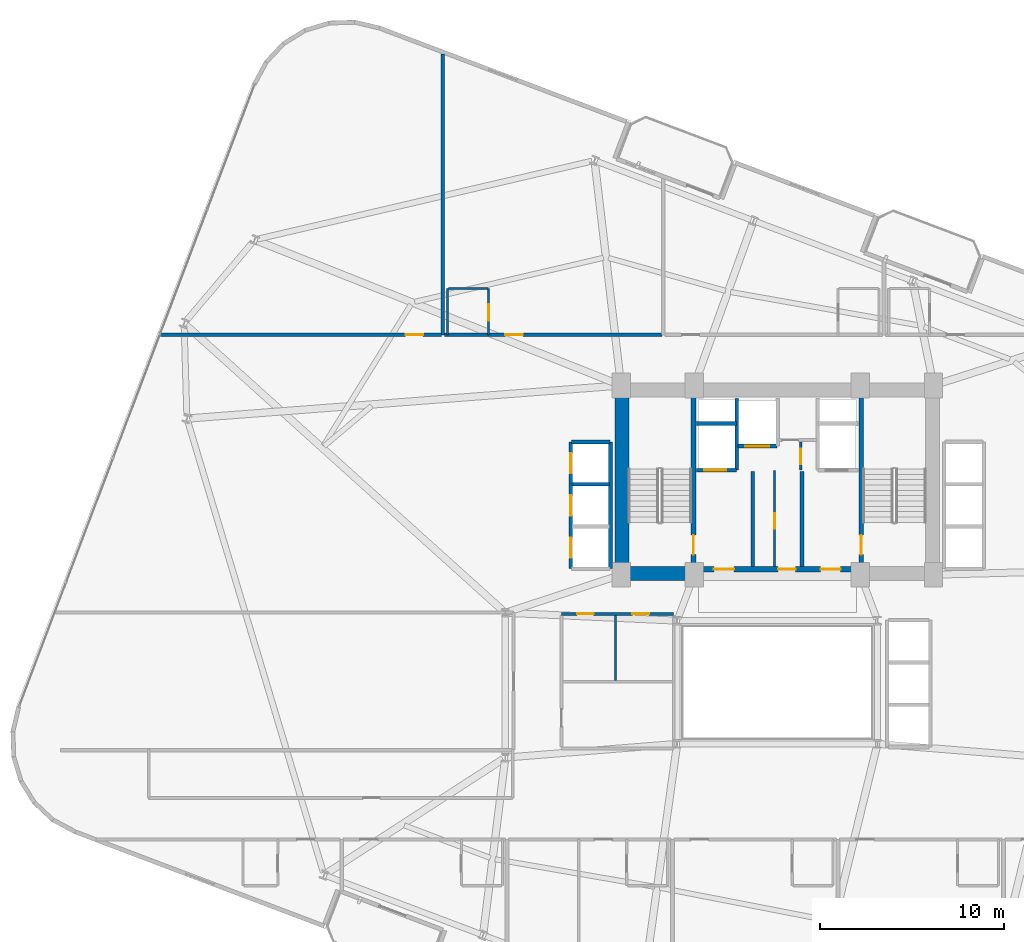
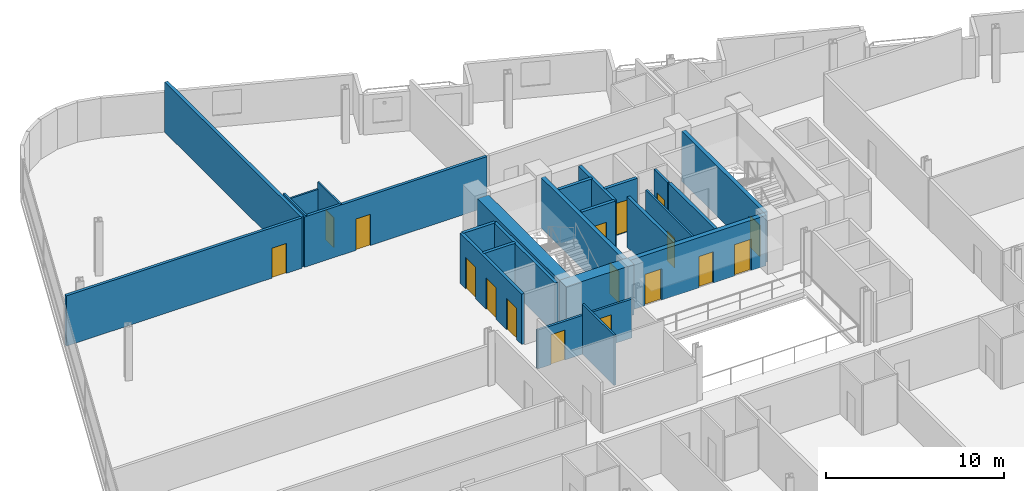
# One storey, part 20 of 26: 25 walls, 17 doors, 17 openings.
"""IFC4 building model written with IfcOpenShell, lengths in metres."""

from ifc_helpers import new_model, si_unit, direction, frame, frame_2d, origin, place, context, subcontext, project, spatial, rectangle, extrude, material, layer, layer_set, type_object, element, fill, save


model = new_model("IFC4")

# Units and contexts
model_context = context("Model", 3, precision=1e-05, world=origin(), true_north=direction((0.0, 1.0)))
body_context = subcontext(model_context, "Body", "Model", "MODEL_VIEW")
ifc_project = project(units=[si_unit("LENGTHUNIT", "METRE"), si_unit("AREAUNIT", "SQUARE_METRE"), si_unit("VOLUMEUNIT", "CUBIC_METRE"), si_unit("PLANEANGLEUNIT", "RADIAN"), si_unit("MASSUNIT", "GRAM", prefix="KILO")], contexts=[model_context])

# Site, building, storey
site_placement = place(None, origin())
site = spatial("IfcSite", under=ifc_project, at=site_placement, CompositionType="ELEMENT")
building_placement = place(site_placement, origin())
building = spatial("IfcBuilding", under=site, at=building_placement, Name="Varnelok Gate Tower", CompositionType="ELEMENT")
storey_placement = place(building_placement, frame((0.0, 0.0, 109.5)))
storey = spatial("IfcBuildingStorey", under=building, at=storey_placement, Name="L27", CompositionType="ELEMENT", Elevation=109.5)

# Wall, opening, door
ifc_material_1 = material(Name="Gypsum Plasterboard Acoustic Partition", Category="gypsum")
ifc_layer_1 = layer(ifc_material_1, 0.179931640625)
ifc_layer_set_1 = layer_set([ifc_layer_1], Name="Gypsum Plasterboard Acoustic Partition")
wall_type_1 = type_object("IfcWallType", Name="PW-CORR-180", PredefinedType="PARTITIONING", material=ifc_layer_set_1)
wall_1_placement = place(storey_placement, frame((5.64599609375, 41.800048828125, 0.0), z_axis=(0.0, 0.0, 1.0), x_axis=(1.0, 0.0, 0.0)))
wall_1 = element("IfcWall", 1, at=wall_1_placement, inside=storey, type_object=wall_type_1, Name="Interior Partition", PredefinedType="PARTITIONING", context=body_context, shape_type="SweptSolid", body=[
    extrude(rectangle(XDim=15.27392578125, YDim=0.179931640625, at=frame_2d((7.636962890625, 0.0))), origin(), (0.0, 0.0, 1.0), 3.449951171875),
])
opening_1_placement = place(wall_1_placement, frame((13.3291015625, 0.0, 0.0)))
opening_1 = element("IfcOpeningElement", 2, at=opening_1_placement, cuts=wall_1, Name="Opening D-I2", PredefinedType="OPENING", context=body_context, shape_type="SweptSolid", body=[
    extrude(rectangle(XDim=0.949951171875, YDim=2.050048828125, at=frame_2d((0.47509765625, 1.02490234375))), frame((0.0, 0.099853515625, 0.0), z_axis=(0.0, -1.0, 0.0), x_axis=(1.0, 0.0, 0.0)), (0.0, 0.0, 1.0), 0.199951171875),
])
ifc_material_2 = material(Name="Engineered Hardwood Timber", Category="wood")
door_type_1 = type_object("IfcDoorType", Name="DR-INT-950", OperationType="NOTDEFINED", PredefinedType="DOOR", material=ifc_material_2)
door_1_placement = place(opening_1_placement, origin())
door_1 = element("IfcDoor", 3, at=door_1_placement, inside=storey, type_object=door_type_1, Name="L27 Sky Library Door", OperationType="SINGLE_SWING_LEFT", OverallHeight=2.050048828125, OverallWidth=0.949951171875, PredefinedType="DOOR", context=body_context, shape_type="SweptSolid", body=[
    extrude(rectangle(XDim=0.949951171875, YDim=2.050048828125, at=frame_2d((0.47509765625, 1.02490234375))), frame((0.0, 0.02490234375, 0.0), z_axis=(0.0, -1.0, 0.0), x_axis=(1.0, 0.0, 0.0)), (0.0, 0.0, 1.0), 0.050048828125),
])
fill(opening_1, door_1)

wall_2_placement = place(storey_placement, frame((21.080078125, 41.800048828125, 0.0), z_axis=(0.0, 0.0, 1.0), x_axis=(1.0, 0.0, 0.0)))
wall_2 = element("IfcWall", 4, at=wall_2_placement, inside=storey, type_object=wall_type_1, Name="Interior Partition", PredefinedType="PARTITIONING", context=body_context, shape_type="SweptSolid", body=[
    extrude(rectangle(XDim=11.83984375, YDim=0.179931640625, at=frame_2d((5.919921875, 0.0))), origin(), (0.0, 0.0, 1.0), 3.449951171875),
])
opening_2_placement = place(wall_2_placement, frame((3.326416015625, 0.0, 0.0)))
opening_2 = element("IfcOpeningElement", 5, at=opening_2_placement, cuts=wall_2, Name="Opening D-HT", PredefinedType="OPENING", context=body_context, shape_type="SweptSolid", body=[
    extrude(rectangle(XDim=0.949951171875, YDim=2.14990234375, at=frame_2d((0.47509765625, 1.074951171875))), frame((0.0, 0.099853515625, 0.0), z_axis=(0.0, -1.0, 0.0), x_axis=(1.0, 0.0, 0.0)), (0.0, 0.0, 1.0), 0.199951171875),
])
door_type_2 = type_object("IfcDoorType", Name="DR-HTL-950", OperationType="NOTDEFINED", PredefinedType="DOOR", material=ifc_material_2)
door_2_placement = place(opening_2_placement, origin())
door_2 = element("IfcDoor", 6, at=door_2_placement, inside=storey, type_object=door_type_2, Name="L27 Guest Room 09 Entrance Door", OperationType="SINGLE_SWING_RIGHT", OverallHeight=2.14990234375, OverallWidth=0.949951171875, PredefinedType="DOOR", context=body_context, shape_type="SweptSolid", body=[
    extrude(rectangle(XDim=0.949951171875, YDim=2.14990234375, at=frame_2d((0.47509765625, 1.074951171875))), frame((0.0, 0.02490234375, 0.0), z_axis=(0.0, -1.0, 0.0), x_axis=(1.0, 0.0, 0.0)), (0.0, 0.0, 1.0), 0.050048828125),
])
fill(opening_2, door_2)

# Wall
ifc_layer_2 = layer(ifc_material_1, 0.114990234375)
ifc_layer_set_2 = layer_set([ifc_layer_2], Name="Gypsum Plasterboard Acoustic Partition")
wall_type_2 = type_object("IfcWallType", Name="PW-ENS-125", PredefinedType="PARTITIONING", material=ifc_layer_set_2)
wall_3_placement = place(storey_placement, frame((21.300048828125, 44.320068359375, 0.0), z_axis=(0.0, 0.0, 1.0), x_axis=(1.0, 0.0, 0.0)))
element("IfcWall", 7, at=wall_3_placement, inside=storey, type_object=wall_type_2, Name="Interior Partition", PredefinedType="PARTITIONING", context=body_context, shape_type="SweptSolid", body=[
    extrude(rectangle(XDim=2.14990234375, YDim=0.114990234375, at=frame_2d((1.074951171875, 0.0))), origin(), (0.0, 0.0, 1.0), 2.971923828125),
])

# Wall, opening, door
wall_4_placement = place(storey_placement, frame((23.489990234375, 41.800048828125, 0.0), z_axis=(0.0, 0.0, 1.0), x_axis=(0.0, 1.0, 0.0)))
wall_4 = element("IfcWall", 8, at=wall_4_placement, inside=storey, type_object=wall_type_2, Name="Interior Partition", PredefinedType="PARTITIONING", context=body_context, shape_type="SweptSolid", body=[
    extrude(rectangle(XDim=2.52001953125, YDim=0.114990234375, at=frame_2d((1.260009765625, 0.0))), origin(), (0.0, 0.0, 1.0), 3.449951171875),
])
opening_3_placement = place(wall_4_placement, frame((0.760009765625, 0.0, 0.0)))
opening_3 = element("IfcOpeningElement", 9, at=opening_3_placement, cuts=wall_4, Name="Opening D-WC", PredefinedType="OPENING", context=body_context, shape_type="SweptSolid", body=[
    extrude(rectangle(XDim=0.89990234375, YDim=2.050048828125, at=frame_2d((0.449951171875, 1.02490234375))), frame((0.0, 0.0673828125, 0.0), z_axis=(0.0, -1.0, 0.0), x_axis=(1.0, 0.0, 0.0)), (0.0, 0.0, 1.0), 0.135009765625),
])
door_type_3 = type_object("IfcDoorType", Name="DR-BATH-900", OperationType="NOTDEFINED", PredefinedType="DOOR", material=ifc_material_2)
door_3_placement = place(opening_3_placement, origin())
door_3 = element("IfcDoor", 10, at=door_3_placement, inside=storey, type_object=door_type_3, Name="L27 North En-Suite 09 Door", OperationType="SINGLE_SWING_RIGHT", OverallHeight=2.050048828125, OverallWidth=0.89990234375, PredefinedType="DOOR", context=body_context, shape_type="SweptSolid", body=[
    extrude(rectangle(XDim=0.89990234375, YDim=2.050048828125, at=frame_2d((0.449951171875, 1.02490234375))), frame((0.0, 0.02490234375, 0.0), z_axis=(0.0, -1.0, 0.0), x_axis=(1.0, 0.0, 0.0)), (0.0, 0.0, 1.0), 0.050048828125),
])
fill(opening_3, door_3)

# Wall
wall_5_placement = place(storey_placement, frame((21.260009765625, 41.800048828125, 0.0), z_axis=(0.0, 0.0, 1.0), x_axis=(0.0, 1.0, 0.0)))
element("IfcWall", 11, at=wall_5_placement, inside=storey, type_object=wall_type_2, Name="Interior Partition", PredefinedType="PARTITIONING", context=body_context, shape_type="SweptSolid", body=[
    extrude(rectangle(XDim=2.52001953125, YDim=0.114990234375, at=frame_2d((1.260009765625, 0.0))), origin(), (0.0, 0.0, 1.0), 3.449951171875),
])

# Wall, opening, door
ifc_layer_3 = layer(ifc_material_1, 0.125)
ifc_layer_set_3 = layer_set([ifc_layer_3], Name="Gypsum Plasterboard Acoustic Partition")
wall_type_3 = type_object("IfcWallType", Name="PW-PART-125", PredefinedType="PARTITIONING", material=ifc_layer_set_3)
wall_6_placement = place(storey_placement, frame((39.050048828125, 29.199951171875, 0.0), z_axis=(0.0, 0.0, 1.0), x_axis=(0.0, 1.0, 0.0)))
wall_6 = element("IfcWall", 12, at=wall_6_placement, inside=storey, type_object=wall_type_3, Name="Interior Partition", PredefinedType="PARTITIONING", context=body_context, shape_type="SweptSolid", body=[
    extrude(rectangle(XDim=5.219970703125, YDim=0.125, at=frame_2d((2.60986328125, 0.0))), origin(), (0.0, 0.0, 1.0), 3.449951171875),
])
opening_4_placement = place(wall_6_placement, frame((2.050048828125, 0.0, 0.0)))
opening_4 = element("IfcOpeningElement", 13, at=opening_4_placement, cuts=wall_6, Name="Opening D-RS", PredefinedType="OPENING", context=body_context, shape_type="SweptSolid", body=[
    extrude(rectangle(XDim=0.85009765625, YDim=2.050048828125, at=frame_2d((0.425048828125, 1.02490234375))), frame((0.0, 0.072509765625, 0.0), z_axis=(0.0, -1.0, 0.0), x_axis=(1.0, 0.0, 0.0)), (0.0, 0.0, 1.0), 0.14501953125),
])
ifc_material_3 = material(Name="Galvanized Steel Grade S350GD", Category="steel")
door_type_4 = type_object("IfcDoorType", Name="DR-RISER-850", OperationType="NOTDEFINED", PredefinedType="DOOR", material=ifc_material_3)
door_4_placement = place(opening_4_placement, origin())
door_4 = element("IfcDoor", 14, at=door_4_placement, inside=storey, type_object=door_type_4, Name="L27 Housekeeping Linen Door", OperationType="SINGLE_SWING_LEFT", OverallHeight=2.050048828125, OverallWidth=0.85009765625, PredefinedType="DOOR", context=body_context, shape_type="SweptSolid", body=[
    extrude(rectangle(XDim=0.85009765625, YDim=2.050048828125, at=frame_2d((0.425048828125, 1.02490234375))), frame((0.0, 0.02490234375, 0.0), z_axis=(0.0, -1.0, 0.0), x_axis=(1.0, 0.0, 0.0)), (0.0, 0.0, 1.0), 0.050048828125),
])
fill(opening_4, door_4)

# Wall
wall_7_placement = place(storey_placement, frame((30.39990234375, 23.0, 0.0), z_axis=(0.0, 0.0, 1.0), x_axis=(0.0, 1.0, 0.0)))
element("IfcWall", 15, at=wall_7_placement, inside=storey, type_object=wall_type_3, Name="Interior Partition", PredefinedType="PARTITIONING", context=body_context, shape_type="SweptSolid", body=[
    extrude(rectangle(XDim=3.5400390625, YDim=0.125, at=frame_2d((1.77001953125, 0.0))), origin(), (0.0, 0.0, 1.0), 3.449951171875),
])

# Wall, opening, door
ifc_layer_4 = layer(ifc_material_1, 0.14990234375)
ifc_layer_set_4 = layer_set([ifc_layer_4], Name="Gypsum Plasterboard Acoustic Partition")
wall_type_4 = type_object("IfcWallType", Name="PW-PART-150", PredefinedType="PARTITIONING", material=ifc_layer_set_4)
wall_8_placement = place(storey_placement, frame((40.47998046875, 34.43994140625, 0.0), z_axis=(0.0, 0.0, 1.0), x_axis=(0.0, 1.0, 0.0)))
wall_8 = element("IfcWall", 16, at=wall_8_placement, inside=storey, type_object=wall_type_4, Name="L27 Telecoms Closet West Wall", PredefinedType="PARTITIONING", context=body_context, shape_type="SweptSolid", body=[
    extrude(rectangle(XDim=1.52001953125, YDim=0.14990234375, at=frame_2d((0.760009765625, 0.0))), origin(), (0.0, 0.0, 1.0), 3.449951171875),
])
opening_5_placement = place(wall_8_placement, frame((0.320068359375, 0.0, 0.0)))
opening_5 = element("IfcOpeningElement", 17, at=opening_5_placement, cuts=wall_8, Name="Opening D-RS", PredefinedType="OPENING", context=body_context, shape_type="SweptSolid", body=[
    extrude(rectangle(XDim=0.85009765625, YDim=2.050048828125, at=frame_2d((0.425048828125, 1.02490234375))), frame((0.0, 0.0849609375, 0.0), z_axis=(0.0, -1.0, 0.0), x_axis=(1.0, 0.0, 0.0)), (0.0, 0.0, 1.0), 0.169921875),
])
door_5_placement = place(opening_5_placement, origin())
door_5 = element("IfcDoor", 18, at=door_5_placement, inside=storey, type_object=door_type_4, Name="L27 Telecoms Closet Door", OperationType="SINGLE_SWING_LEFT", OverallHeight=2.050048828125, OverallWidth=0.85009765625, PredefinedType="DOOR", context=body_context, shape_type="SweptSolid", body=[
    extrude(rectangle(XDim=0.85009765625, YDim=2.050048828125, at=frame_2d((0.425048828125, 1.02490234375))), frame((0.0, 0.02490234375, 0.0), z_axis=(0.0, -1.0, 0.0), x_axis=(1.0, 0.0, 0.0)), (0.0, 0.0, 1.0), 0.050048828125),
])
fill(opening_5, door_5)

# Wall, openings, doors
wall_9_placement = place(storey_placement, frame((27.4599609375, 26.6201171875, 0.0), z_axis=(0.0, 0.0, 1.0), x_axis=(1.0, 0.0, 0.0)))
wall_9 = element("IfcWall", 19, at=wall_9_placement, inside=storey, type_object=wall_type_4, Name="Interior Partition", PredefinedType="PARTITIONING", context=body_context, shape_type="SweptSolid", body=[
    extrude(rectangle(XDim=6.10009765625, YDim=0.14990234375, at=frame_2d((3.050048828125, 0.0))), origin(), (0.0, 0.0, 1.0), 2.662109375),
])
opening_6_placement = place(wall_9_placement, frame((0.85009765625, 0.0, 0.0)))
opening_6 = element("IfcOpeningElement", 20, at=opening_6_placement, cuts=wall_9, Name="Opening D-WC", PredefinedType="OPENING", context=body_context, shape_type="SweptSolid", body=[
    extrude(rectangle(XDim=0.89990234375, YDim=2.050048828125, at=frame_2d((0.449951171875, 1.02490234375))), frame((0.0, 0.0849609375, 0.0), z_axis=(0.0, -1.0, 0.0), x_axis=(1.0, 0.0, 0.0)), (0.0, 0.0, 1.0), 0.169921875),
])
opening_7_placement = place(wall_9_placement, frame((3.85009765625, 0.0, 0.0)))
opening_7 = element("IfcOpeningElement", 21, at=opening_7_placement, cuts=wall_9, Name="Opening D-I3", PredefinedType="OPENING", context=body_context, shape_type="SweptSolid", body=[
    extrude(rectangle(XDim=0.919921875, YDim=2.050048828125, at=frame_2d((0.4599609375, 1.02490234375))), frame((0.0, 0.0849609375, 0.0), z_axis=(0.0, -1.0, 0.0), x_axis=(1.0, 0.0, 0.0)), (0.0, 0.0, 1.0), 0.169921875),
])
door_6_placement = place(opening_6_placement, origin())
door_6 = element("IfcDoor", 22, at=door_6_placement, inside=storey, type_object=door_type_3, Name="L27 Accessible Floor WC Door", OperationType="SINGLE_SWING_RIGHT", OverallHeight=2.050048828125, OverallWidth=0.89990234375, PredefinedType="DOOR", context=body_context, shape_type="SweptSolid", body=[
    extrude(rectangle(XDim=0.89990234375, YDim=2.050048828125, at=frame_2d((0.449951171875, 1.02490234375))), frame((0.0, 0.02490234375, 0.0), z_axis=(0.0, -1.0, 0.0), x_axis=(1.0, 0.0, 0.0)), (0.0, 0.0, 1.0), 0.050048828125),
])
fill(opening_6, door_6)
door_type_5 = type_object("IfcDoorType", Name="DR-INT-920", OperationType="NOTDEFINED", PredefinedType="DOOR", material=ifc_material_2)
door_7_placement = place(opening_7_placement, origin())
door_7 = element("IfcDoor", 23, at=door_7_placement, inside=storey, type_object=door_type_5, Name="L27 Cleaner Supply Door", OperationType="SINGLE_SWING_LEFT", OverallHeight=2.050048828125, OverallWidth=0.919921875, PredefinedType="DOOR", context=body_context, shape_type="SweptSolid", body=[
    extrude(rectangle(XDim=0.919921875, YDim=2.050048828125, at=frame_2d((0.4599609375, 1.02490234375))), frame((0.0, 0.02490234375, 0.0), z_axis=(0.0, -1.0, 0.0), x_axis=(1.0, 0.0, 0.0)), (0.0, 0.0, 1.0), 0.050048828125),
])
fill(opening_7, door_7)

# Walls
ifc_layer_5 = layer(ifc_material_1, 0.205078125)
ifc_layer_set_5 = layer_set([ifc_layer_5], Name="Gypsum Plasterboard Acoustic Partition")
wall_type_5 = type_object("IfcWallType", Name="PW-PARTY-200", PredefinedType="PARTITIONING", material=ifc_layer_set_5)
wall_10_placement = place(storey_placement, frame((21.0, 41.800048828125, 0.0), z_axis=(0.0, 0.0, 1.0), x_axis=(0.0, 1.0, 0.0)))
element("IfcWall", 24, at=wall_10_placement, inside=storey, type_object=wall_type_5, Name="L27 North Party Wall 1", PredefinedType="PARTITIONING", context=body_context, shape_type="SweptSolid", body=[
    extrude(rectangle(XDim=15.28466796875, YDim=0.205078125, at=frame_2d((7.642333984375, 0.0))), origin(), (0.0, 0.0, 1.0), 3.449951171875),
])
ifc_material_4 = material(Name="Concrete C35/45", Category="concrete")
ifc_layer_6 = layer(ifc_material_4, 0.199951171875)
ifc_layer_set_6 = layer_set([ifc_layer_6], Name="Concrete C35/45")
wall_type_6 = type_object("IfcWallType", Name="PW-SHAFT-200", PredefinedType="PARTITIONING", material=ifc_layer_set_6)
for number, where, z_axis, x_axis, name in (
    (25, (37.860107421875, 29.199951171875, 0.0), (0.0, 0.0, 1.0), (0.0, 1.0, 0.0), "L27 West FF Lobby Rated Wall"),
    (26, (40.5400390625, 29.199951171875, 0.0), (0.0, 0.0, 1.0), (0.0, 1.0, 0.0), "L27 East FF Lobby Rated Wall"),
):
    element("IfcWall", number, at=place(storey_placement, frame(where, z_axis=z_axis, x_axis=x_axis)), inside=storey, type_object=wall_type_6, Name=name, PredefinedType="PARTITIONING", context=body_context, shape_type="SweptSolid", body=[
        extrude(rectangle(XDim=5.179931640625, YDim=0.199951171875, at=frame_2d((2.58984375, 0.0))), origin(), (0.0, 0.0, 1.0), 3.449951171875),
    ])

# Wall, opening, door
wall_11_placement = place(storey_placement, frame((34.800048828125, 34.43994140625, 0.0), z_axis=(0.0, 0.0, 1.0), x_axis=(1.0, 0.0, 0.0)))
wall_11 = element("IfcWall", 27, at=wall_11_placement, inside=storey, type_object=wall_type_6, Name="L27 FF1 Shaft Front Wall", PredefinedType="PARTITIONING", context=body_context, shape_type="SweptSolid", body=[
    extrude(rectangle(XDim=2.179931640625, YDim=0.199951171875, at=frame_2d((1.08984375, 0.0))), origin(), (0.0, 0.0, 1.0), 3.449951171875),
])
opening_8_placement = place(wall_11_placement, frame((0.419921875, 0.0, 0.0)))
opening_8 = element("IfcOpeningElement", 28, at=opening_8_placement, cuts=wall_11, Name="Opening LD-FF1", PredefinedType="OPENING", context=body_context, shape_type="SweptSolid", body=[
    extrude(rectangle(XDim=1.199951171875, YDim=2.199951171875, at=frame_2d((0.60009765625, 1.10009765625))), frame((0.0, 0.10986328125, 0.0), z_axis=(0.0, -1.0, 0.0), x_axis=(1.0, 0.0, 0.0)), (0.0, 0.0, 1.0), 0.219970703125),
])
door_type_6 = type_object("IfcDoorType", Name="DR-LIFT-FF1200", OperationType="SLIDING_TO_LEFT", PredefinedType="DOOR", material=ifc_material_3)
door_8_placement = place(opening_8_placement, origin())
door_8 = element("IfcDoor", 29, at=door_8_placement, inside=storey, type_object=door_type_6, Name="L27 Firefighting Lift Landing Door LD-FF1", OperationType="SLIDING_TO_LEFT", OverallHeight=2.199951171875, OverallWidth=1.199951171875, PredefinedType="DOOR", context=body_context, shape_type="SweptSolid", body=[
    extrude(rectangle(XDim=1.199951171875, YDim=2.199951171875, at=frame_2d((0.60009765625, 1.10009765625))), frame((0.0, 0.02490234375, 0.0), z_axis=(0.0, -1.0, 0.0), x_axis=(1.0, 0.0, 0.0)), (0.0, 0.0, 1.0), 0.050048828125),
])
fill(opening_8, door_8)

# Walls
wall_12_placement = place(storey_placement, frame((34.800048828125, 36.97998046875, 0.0), z_axis=(0.0, 0.0, 1.0), x_axis=(1.0, 0.0, 0.0)))
element("IfcWall", 30, at=wall_12_placement, inside=storey, type_object=wall_type_6, Name="L27 FF1 Shaft North Wall", PredefinedType="PARTITIONING", context=body_context, shape_type="SweptSolid", body=[
    extrude(rectangle(XDim=2.179931640625, YDim=0.199951171875, at=frame_2d((1.08984375, 0.0))), origin(), (0.0, 0.0, 1.0), 3.449951171875),
])
wall_13_placement = place(storey_placement, frame((37.0, 34.43994140625, 0.0), z_axis=(0.0, 0.0, 1.0), x_axis=(0.0, 1.0, 0.0)))
element("IfcWall", 31, at=wall_13_placement, inside=storey, type_object=wall_type_6, Name="L27 FF1 Shaft Side Wall", PredefinedType="PARTITIONING", context=body_context, shape_type="SweptSolid", body=[
    extrude(rectangle(XDim=3.900146484375, YDim=0.199951171875, at=frame_2d((1.9501953125, 0.0))), origin(), (0.0, 0.0, 1.0), 3.449951171875),
])

# Wall, opening, door
wall_14_placement = place(storey_placement, frame((37.06005859375, 35.75, 0.0), z_axis=(0.0, 0.0, 1.0), x_axis=(1.0, 0.0, 0.0)))
wall_14 = element("IfcWall", 32, at=wall_14_placement, inside=storey, type_object=wall_type_6, Name="L27 SV1 Shaft Front Wall", PredefinedType="PARTITIONING", context=body_context, shape_type="SweptSolid", body=[
    extrude(rectangle(XDim=2.119873046875, YDim=0.199951171875, at=frame_2d((1.06005859375, 0.0))), origin(), (0.0, 0.0, 1.0), 3.449951171875),
])
opening_9_placement = place(wall_14_placement, frame((0.39990234375, 0.0, 0.0)))
opening_9 = element("IfcOpeningElement", 33, at=opening_9_placement, cuts=wall_14, Name="Opening LD-SV1", PredefinedType="OPENING", context=body_context, shape_type="SweptSolid", body=[
    extrude(rectangle(XDim=1.300048828125, YDim=2.199951171875, at=frame_2d((0.64990234375, 1.10009765625))), frame((0.0, 0.10986328125, 0.0), z_axis=(0.0, -1.0, 0.0), x_axis=(1.0, 0.0, 0.0)), (0.0, 0.0, 1.0), 0.219970703125),
])
door_type_7 = type_object("IfcDoorType", Name="DR-LIFT-SV1300", OperationType="SLIDING_TO_LEFT", PredefinedType="DOOR", material=ifc_material_3)
door_9_placement = place(opening_9_placement, origin())
door_9 = element("IfcDoor", 34, at=door_9_placement, inside=storey, type_object=door_type_7, Name="L27 Service Lift Landing Door LD-SV1", OperationType="SLIDING_TO_LEFT", OverallHeight=2.199951171875, OverallWidth=1.300048828125, PredefinedType="DOOR", context=body_context, shape_type="SweptSolid", body=[
    extrude(rectangle(XDim=1.300048828125, YDim=2.199951171875, at=frame_2d((0.64990234375, 1.10009765625))), frame((0.0, 0.02490234375, 0.0), z_axis=(0.0, -1.0, 0.0), x_axis=(1.0, 0.0, 0.0)), (0.0, 0.0, 1.0), 0.050048828125),
])
fill(opening_9, door_9)

# Walls
wall_15_placement = place(storey_placement, frame((28.02001953125, 33.675048828125, 0.0), z_axis=(0.0, 0.0, 1.0), x_axis=(1.0, 0.0, 0.0)))
element("IfcWall", 35, at=wall_15_placement, inside=storey, type_object=wall_type_6, Name="L27 PL2 Divider", PredefinedType="PARTITIONING", context=body_context, shape_type="SweptSolid", body=[
    extrude(rectangle(XDim=2.06005859375, YDim=0.199951171875, at=frame_2d((1.030029296875, 0.0))), origin(), (0.0, 0.0, 1.0), 3.449951171875),
])
wall_16_placement = place(storey_placement, frame((28.0, 35.969970703125, 0.0), z_axis=(0.0, 0.0, 1.0), x_axis=(1.0, 0.0, 0.0)))
element("IfcWall", 36, at=wall_16_placement, inside=storey, type_object=wall_type_6, Name="L27 PL Bank North Wall", PredefinedType="PARTITIONING", context=body_context, shape_type="SweptSolid", body=[
    extrude(rectangle(XDim=2.10009765625, YDim=0.199951171875, at=frame_2d((1.050048828125, 0.0))), origin(), (0.0, 0.0, 1.0), 3.449951171875),
])
wall_17_placement = place(storey_placement, frame((30.1201171875, 29.080078125, 0.0), z_axis=(0.0, 0.0, 1.0), x_axis=(0.0, 1.0, 0.0)))
element("IfcWall", 37, at=wall_17_placement, inside=storey, type_object=wall_type_6, Name="L27 PL Bank Back Wall", PredefinedType="PARTITIONING", context=body_context, shape_type="SweptSolid", body=[
    extrude(rectangle(XDim=6.889892578125, YDim=0.199951171875, at=frame_2d((3.44482421875, 0.0))), origin(), (0.0, 0.0, 1.0), 3.449951171875),
])

# Wall, openings, doors
wall_18_placement = place(storey_placement, frame((27.9599609375, 29.080078125, 0.0), z_axis=(0.0, 0.0, 1.0), x_axis=(0.0, 1.0, 0.0)))
wall_18 = element("IfcWall", 38, at=wall_18_placement, inside=storey, type_object=wall_type_6, Name="L27 PL Bank Front Wall", PredefinedType="PARTITIONING", context=body_context, shape_type="SweptSolid", body=[
    extrude(rectangle(XDim=6.889892578125, YDim=0.199951171875, at=frame_2d((3.44482421875, 0.0))), origin(), (0.0, 0.0, 1.0), 3.449951171875),
])
opening_10_placement = place(wall_18_placement, frame((0.590087890625, 0.0, 0.0)))
opening_10 = element("IfcOpeningElement", 39, at=opening_10_placement, cuts=wall_18, Name="Opening LD-PL1", PredefinedType="OPENING", context=body_context, shape_type="SweptSolid", body=[
    extrude(rectangle(XDim=1.10009765625, YDim=2.14990234375, at=frame_2d((0.550048828125, 1.074951171875))), frame((0.0, 0.10986328125, 0.0), z_axis=(0.0, -1.0, 0.0), x_axis=(1.0, 0.0, 0.0)), (0.0, 0.0, 1.0), 0.219970703125),
])
opening_11_placement = place(wall_18_placement, frame((2.889892578125, 0.0, 0.0)))
opening_11 = element("IfcOpeningElement", 40, at=opening_11_placement, cuts=wall_18, Name="Opening LD-PL2", PredefinedType="OPENING", context=body_context, shape_type="SweptSolid", body=[
    extrude(rectangle(XDim=1.10009765625, YDim=2.14990234375, at=frame_2d((0.550048828125, 1.074951171875))), frame((0.0, 0.10986328125, 0.0), z_axis=(0.0, -1.0, 0.0), x_axis=(1.0, 0.0, 0.0)), (0.0, 0.0, 1.0), 0.219970703125),
])
opening_12_placement = place(wall_18_placement, frame((5.18994140625, 0.0, 0.0)))
opening_12 = element("IfcOpeningElement", 41, at=opening_12_placement, cuts=wall_18, Name="Opening LD-PL3", PredefinedType="OPENING", context=body_context, shape_type="SweptSolid", body=[
    extrude(rectangle(XDim=1.10009765625, YDim=2.14990234375, at=frame_2d((0.550048828125, 1.074951171875))), frame((0.0, 0.10986328125, 0.0), z_axis=(0.0, -1.0, 0.0), x_axis=(1.0, 0.0, 0.0)), (0.0, 0.0, 1.0), 0.219970703125),
])
door_type_8 = type_object("IfcDoorType", Name="DR-LIFT-PAX1100", OperationType="SLIDING_TO_LEFT", PredefinedType="DOOR", material=ifc_material_3)
door_10_placement = place(opening_10_placement, origin())
door_10 = element("IfcDoor", 42, at=door_10_placement, inside=storey, type_object=door_type_8, Name="L27 Passenger Lift Landing Door LD-PL1", OperationType="SLIDING_TO_LEFT", OverallHeight=2.14990234375, OverallWidth=1.10009765625, PredefinedType="DOOR", context=body_context, shape_type="SweptSolid", body=[
    extrude(rectangle(XDim=1.10009765625, YDim=2.14990234375, at=frame_2d((0.550048828125, 1.074951171875))), frame((0.0, 0.02490234375, 0.0), z_axis=(0.0, -1.0, 0.0), x_axis=(1.0, 0.0, 0.0)), (0.0, 0.0, 1.0), 0.050048828125),
])
fill(opening_10, door_10)
door_11_placement = place(opening_11_placement, origin())
door_11 = element("IfcDoor", 43, at=door_11_placement, inside=storey, type_object=door_type_8, Name="L27 Passenger Lift Landing Door LD-PL2", OperationType="SLIDING_TO_LEFT", OverallHeight=2.14990234375, OverallWidth=1.10009765625, PredefinedType="DOOR", context=body_context, shape_type="SweptSolid", body=[
    extrude(rectangle(XDim=1.10009765625, YDim=2.14990234375, at=frame_2d((0.550048828125, 1.074951171875))), frame((0.0, 0.02490234375, 0.0), z_axis=(0.0, -1.0, 0.0), x_axis=(1.0, 0.0, 0.0)), (0.0, 0.0, 1.0), 0.050048828125),
])
fill(opening_11, door_11)
door_12_placement = place(opening_12_placement, origin())
door_12 = element("IfcDoor", 44, at=door_12_placement, inside=storey, type_object=door_type_8, Name="L27 Passenger Lift Landing Door LD-PL3", OperationType="SLIDING_TO_LEFT", OverallHeight=2.14990234375, OverallWidth=1.10009765625, PredefinedType="DOOR", context=body_context, shape_type="SweptSolid", body=[
    extrude(rectangle(XDim=1.10009765625, YDim=2.14990234375, at=frame_2d((0.550048828125, 1.074951171875))), frame((0.0, 0.02490234375, 0.0), z_axis=(0.0, -1.0, 0.0), x_axis=(1.0, 0.0, 0.0)), (0.0, 0.0, 1.0), 0.050048828125),
])
fill(opening_12, door_12)

# Walls
ifc_material_5 = material(Name="Concrete C70/85", Category="concrete")
ifc_layer_7 = layer(ifc_material_5, 0.75)
ifc_layer_set_7 = layer_set([ifc_layer_7], Name="Concrete C70/85")
wall_type_7 = type_object("IfcWallType", Name="SW-CORE-750", PredefinedType="SHEAR", material=ifc_layer_set_7)
wall_19_placement = place(storey_placement, frame((30.7548828125, 29.199951171875, 0.0), z_axis=(0.0, 0.0, 1.0), x_axis=(0.0, 1.0, 0.0)))
element("IfcWall", 45, at=wall_19_placement, inside=storey, type_object=wall_type_7, Name="L27 Rear Core West Shear Wall", PredefinedType="SHEAR", context=body_context, shape_type="SweptSolid", body=[
    extrude(rectangle(XDim=9.219970703125, YDim=0.75, at=frame_2d((4.60986328125, 0.0))), origin(), (0.0, 0.0, 1.0), 3.449951171875),
])
wall_20_placement = place(storey_placement, frame((30.3798828125, 28.824951171875, 0.0), z_axis=(0.0, 0.0, 1.0), x_axis=(1.0, 0.0, 0.0)))
element("IfcWall", 46, at=wall_20_placement, inside=storey, type_object=wall_type_7, Name="L27 Rear Core South-West Shear Wall", PredefinedType="SHEAR", context=body_context, shape_type="SweptSolid", body=[
    extrude(rectangle(XDim=4.420166015625, YDim=0.75, at=frame_2d((2.2099609375, 0.0))), origin(), (0.0, 0.0, 1.0), 3.449951171875),
])

# Wall, opening, door
ifc_material_6 = material(Name="Concrete C60/75", Category="concrete")
ifc_layer_8 = layer(ifc_material_6, 0.25)
ifc_layer_set_8 = layer_set([ifc_layer_8], Name="Concrete C60/75")
wall_type_8 = type_object("IfcWallType", Name="SW-SHAFT-250", PredefinedType="SHEAR", material=ifc_layer_set_8)
wall_21_placement = place(storey_placement, frame((34.639892578125, 29.199951171875, 0.0), z_axis=(0.0, 0.0, 1.0), x_axis=(0.0, 1.0, 0.0)))
wall_21 = element("IfcWall", 47, at=wall_21_placement, inside=storey, type_object=wall_type_8, Name="L27 Stair ST-1 East Shear Wall", PredefinedType="SHEAR", context=body_context, shape_type="SweptSolid", body=[
    extrude(rectangle(XDim=9.219970703125, YDim=0.25, at=frame_2d((4.60986328125, 0.0))), origin(), (0.0, 0.0, 1.0), 3.449951171875),
])
opening_13_placement = place(wall_21_placement, frame((0.64990234375, 0.0, 0.0)))
opening_13 = element("IfcOpeningElement", 48, at=opening_13_placement, cuts=wall_21, Name="Opening D-ST", PredefinedType="OPENING", context=body_context, shape_type="SweptSolid", body=[
    extrude(rectangle(XDim=1.050048828125, YDim=2.14990234375, at=frame_2d((0.52490234375, 1.074951171875))), frame((0.0, 0.135009765625, 0.0), z_axis=(0.0, -1.0, 0.0), x_axis=(1.0, 0.0, 0.0)), (0.0, 0.0, 1.0), 0.27001953125),
])
door_type_9 = type_object("IfcDoorType", Name="DR-STAIR-1050", OperationType="NOTDEFINED", PredefinedType="DOOR", material=ifc_material_3)
door_13_placement = place(opening_13_placement, origin())
door_13 = element("IfcDoor", 49, at=door_13_placement, inside=storey, type_object=door_type_9, Name="L27 Exit Stair ST-1 Fire Door", OperationType="SINGLE_SWING_LEFT", OverallHeight=2.14990234375, OverallWidth=1.050048828125, PredefinedType="DOOR", context=body_context, shape_type="SweptSolid", body=[
    extrude(rectangle(XDim=1.050048828125, YDim=2.14990234375, at=frame_2d((0.52490234375, 1.074951171875))), frame((0.0, 0.02490234375, 0.0), z_axis=(0.0, -1.0, 0.0), x_axis=(1.0, 0.0, 0.0)), (0.0, 0.0, 1.0), 0.050048828125),
])
fill(opening_13, door_13)

wall_22_placement = place(storey_placement, frame((43.760009765625, 29.199951171875, 0.0), z_axis=(0.0, 0.0, 1.0), x_axis=(0.0, 1.0, 0.0)))
wall_22 = element("IfcWall", 50, at=wall_22_placement, inside=storey, type_object=wall_type_8, Name="L27 Stair ST-2 West Shear Wall", PredefinedType="SHEAR", context=body_context, shape_type="SweptSolid", body=[
    extrude(rectangle(XDim=9.219970703125, YDim=0.25, at=frame_2d((4.60986328125, 0.0))), origin(), (0.0, 0.0, 1.0), 3.449951171875),
])
opening_14_placement = place(wall_22_placement, frame((0.64990234375, 0.0, 0.0)))
opening_14 = element("IfcOpeningElement", 51, at=opening_14_placement, cuts=wall_22, Name="Opening D-ST", PredefinedType="OPENING", context=body_context, shape_type="SweptSolid", body=[
    extrude(rectangle(XDim=1.050048828125, YDim=2.14990234375, at=frame_2d((0.52490234375, 1.074951171875))), frame((0.0, 0.135009765625, 0.0), z_axis=(0.0, -1.0, 0.0), x_axis=(1.0, 0.0, 0.0)), (0.0, 0.0, 1.0), 0.27001953125),
])
door_14_placement = place(opening_14_placement, origin())
door_14 = element("IfcDoor", 52, at=door_14_placement, inside=storey, type_object=door_type_9, Name="L27 Exit Stair ST-2 Fire Door", OperationType="SINGLE_SWING_RIGHT", OverallHeight=2.14990234375, OverallWidth=1.050048828125, PredefinedType="DOOR", context=body_context, shape_type="SweptSolid", body=[
    extrude(rectangle(XDim=1.050048828125, YDim=2.14990234375, at=frame_2d((0.52490234375, 1.074951171875))), frame((0.0, 0.02490234375, 0.0), z_axis=(0.0, -1.0, 0.0), x_axis=(1.0, 0.0, 0.0)), (0.0, 0.0, 1.0), 0.050048828125),
])
fill(opening_14, door_14)

# Wall, openings, doors
ifc_layer_9 = layer(ifc_material_6, 0.300048828125)
ifc_layer_set_9 = layer_set([ifc_layer_9], Name="Concrete C60/75")
wall_type_9 = type_object("IfcWallType", Name="SW-SHAFT-300", PredefinedType="SHEAR", material=ifc_layer_set_9)
wall_23_placement = place(storey_placement, frame((34.800048828125, 29.050048828125, 0.0), z_axis=(0.0, 0.0, 1.0), x_axis=(1.0, 0.0, 0.0)))
wall_23 = element("IfcWall", 53, at=wall_23_placement, inside=storey, type_object=wall_type_9, Name="L27 Rear Core Central Lobby Shear Wall", PredefinedType="SHEAR", context=body_context, shape_type="SweptSolid", body=[
    extrude(rectangle(XDim=8.800048828125, YDim=0.300048828125, at=frame_2d((4.39990234375, 0.0))), origin(), (0.0, 0.0, 1.0), 3.449951171875),
])
opening_15_placement = place(wall_23_placement, frame((0.949951171875, 0.0, 0.0)))
opening_15 = element("IfcOpeningElement", 54, at=opening_15_placement, cuts=wall_23, Name="Opening D-FF", PredefinedType="OPENING", context=body_context, shape_type="SweptSolid", body=[
    extrude(rectangle(XDim=1.10009765625, YDim=2.14990234375, at=frame_2d((0.550048828125, 1.074951171875))), frame((0.0, 0.159912109375, 0.0), z_axis=(0.0, -1.0, 0.0), x_axis=(1.0, 0.0, 0.0)), (0.0, 0.0, 1.0), 0.320068359375),
])
opening_16_placement = place(wall_23_placement, frame((6.75, 0.0, 0.0)))
opening_16 = element("IfcOpeningElement", 55, at=opening_16_placement, cuts=wall_23, Name="Opening D-FF", PredefinedType="OPENING", context=body_context, shape_type="SweptSolid", body=[
    extrude(rectangle(XDim=1.10009765625, YDim=2.14990234375, at=frame_2d((0.550048828125, 1.074951171875))), frame((0.0, 0.159912109375, 0.0), z_axis=(0.0, -1.0, 0.0), x_axis=(1.0, 0.0, 0.0)), (0.0, 0.0, 1.0), 0.320068359375),
])
opening_17_placement = place(wall_23_placement, frame((4.449951171875, 0.0, 0.0)))
opening_17 = element("IfcOpeningElement", 56, at=opening_17_placement, cuts=wall_23, Name="Opening D-CR", PredefinedType="OPENING", context=body_context, shape_type="SweptSolid", body=[
    extrude(rectangle(XDim=0.949951171875, YDim=2.14990234375, at=frame_2d((0.47509765625, 1.074951171875))), frame((0.0, 0.159912109375, 0.0), z_axis=(0.0, -1.0, 0.0), x_axis=(1.0, 0.0, 0.0)), (0.0, 0.0, 1.0), 0.320068359375),
])
door_type_10 = type_object("IfcDoorType", Name="DR-CORR-950", OperationType="NOTDEFINED", PredefinedType="DOOR", material=ifc_material_3)
door_15_placement = place(opening_17_placement, origin())
door_15 = element("IfcDoor", 57, at=door_15_placement, inside=storey, type_object=door_type_10, Name="L27 Core Service Passage Door", OperationType="SINGLE_SWING_LEFT", OverallHeight=2.14990234375, OverallWidth=0.949951171875, PredefinedType="DOOR", context=body_context, shape_type="SweptSolid", body=[
    extrude(rectangle(XDim=0.949951171875, YDim=2.14990234375, at=frame_2d((0.47509765625, 1.074951171875))), frame((0.0, 0.02490234375, 0.0), z_axis=(0.0, -1.0, 0.0), x_axis=(1.0, 0.0, 0.0)), (0.0, 0.0, 1.0), 0.050048828125),
])
fill(opening_17, door_15)
door_type_11 = type_object("IfcDoorType", Name="DR-FFLOB-1100", OperationType="NOTDEFINED", PredefinedType="DOOR", material=ifc_material_3)
door_16_placement = place(opening_15_placement, origin())
door_16 = element("IfcDoor", 58, at=door_16_placement, inside=storey, type_object=door_type_11, Name="L27 West Firefighting Lobby Fire Door", OperationType="SINGLE_SWING_RIGHT", OverallHeight=2.14990234375, OverallWidth=1.10009765625, PredefinedType="DOOR", context=body_context, shape_type="SweptSolid", body=[
    extrude(rectangle(XDim=1.10009765625, YDim=2.14990234375, at=frame_2d((0.550048828125, 1.074951171875))), frame((0.0, 0.02490234375, 0.0), z_axis=(0.0, -1.0, 0.0), x_axis=(1.0, 0.0, 0.0)), (0.0, 0.0, 1.0), 0.050048828125),
])
fill(opening_15, door_16)
door_17_placement = place(opening_16_placement, origin())
door_17 = element("IfcDoor", 59, at=door_17_placement, inside=storey, type_object=door_type_11, Name="L27 East Firefighting Lobby Fire Door", OperationType="SINGLE_SWING_LEFT", OverallHeight=2.14990234375, OverallWidth=1.10009765625, PredefinedType="DOOR", context=body_context, shape_type="SweptSolid", body=[
    extrude(rectangle(XDim=1.10009765625, YDim=2.14990234375, at=frame_2d((0.550048828125, 1.074951171875))), frame((0.0, 0.02490234375, 0.0), z_axis=(0.0, -1.0, 0.0), x_axis=(1.0, 0.0, 0.0)), (0.0, 0.0, 1.0), 0.050048828125),
])
fill(opening_16, door_17)

save(model, "model.ifc")
